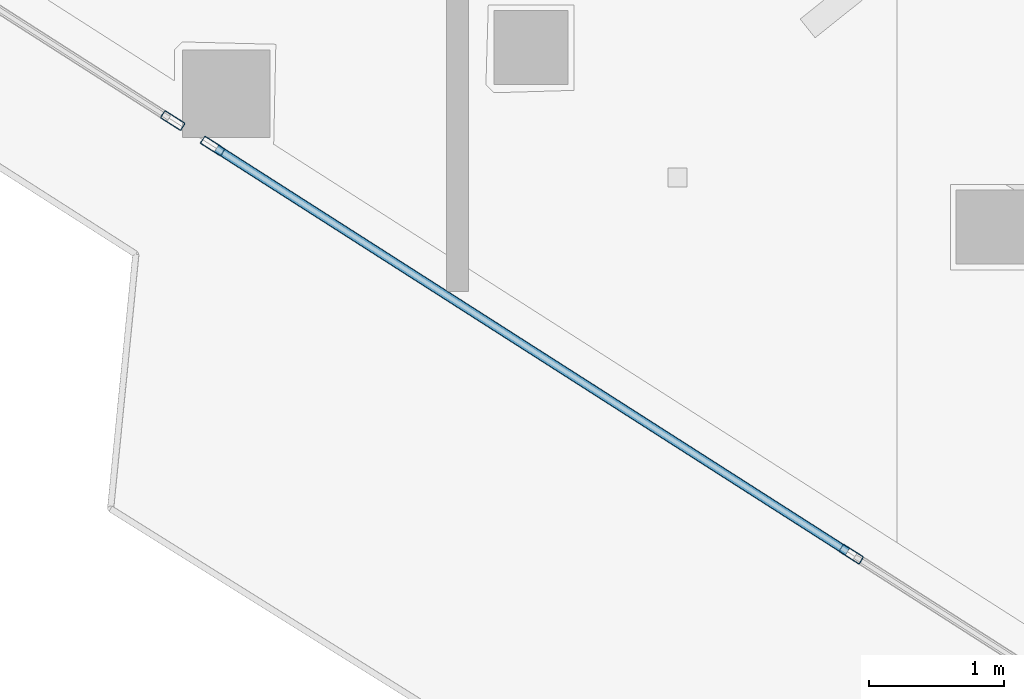
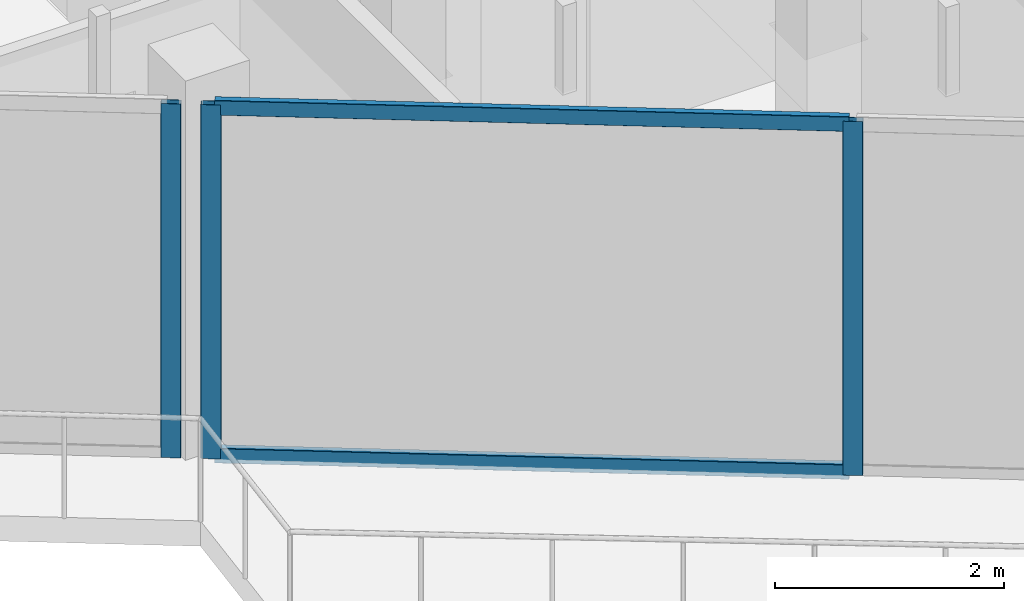
# One storey, part 4 of 36: 5 members, 2 elements without a shape of their own.
"""IFC4 building model written with IfcOpenShell, lengths in metres."""

from ifc_helpers import new_model, si_unit, direction, frame, origin, origin_2d, place, context, subcontext, project, spatial, hollow_rectangle, extrude, material, layer, layer_set, material_profile, profile_set, type_object, element, aggregate, save


model = new_model("IFC4")

# Units and contexts
model_context = context("Model", 3, precision=1e-05, world=origin(), true_north=direction((0.0, 1.0)))
body_context = subcontext(model_context, "Body", "Model", "MODEL_VIEW")
ifc_project = project(units=[si_unit("LENGTHUNIT", "METRE"), si_unit("AREAUNIT", "SQUARE_METRE"), si_unit("VOLUMEUNIT", "CUBIC_METRE"), si_unit("PLANEANGLEUNIT", "RADIAN"), si_unit("MASSUNIT", "GRAM", prefix="KILO")], contexts=[model_context])

# Site, building, storey
site_placement = place(None, origin())
site = spatial("IfcSite", under=ifc_project, at=site_placement, CompositionType="ELEMENT")
building_placement = place(site_placement, origin())
building = spatial("IfcBuilding", under=site, at=building_placement, Name="Qorvath Tower", CompositionType="ELEMENT")
storey_placement = place(building_placement, frame((0.0, 0.0, 241.5)))
storey = spatial("IfcBuildingStorey", under=building, at=storey_placement, Name="L56", CompositionType="ELEMENT", Elevation=241.5)

# Curtain wall, member
ifc_material_1 = material(Name="Anodised aluminium and triple low-E glass", Category="aluminium")
ifc_layer = layer(ifc_material_1, 0.179931640625)
ifc_layer_set = layer_set([ifc_layer], Name="CW-SYS-3")
curtain_wall_type = type_object("IfcCurtainWallType", Name="CW-SYS-3", PredefinedType="NOTDEFINED", material=ifc_layer_set)
curtain_wall_1_placement = place(storey_placement, origin())
curtain_wall_1 = element("IfcCurtainWall", 1, at=curtain_wall_1_placement, inside=storey, type_object=curtain_wall_type, Name="Curtain Wall CW-3 CW-T-L56-2.1", PredefinedType="NOTDEFINED")
ifc_material_2 = material(Name="Anodised aluminium 6063-T6", Category="aluminium")
ifc_material_profile_1 = material_profile(ifc_material_2, hollow_rectangle(XDim=0.06494140625, YDim=0.179931640625, WallThickness=0.00341796875, InnerFilletRadius=0.00341796875, OuterFilletRadius=0.007080078125, at=origin_2d()), Name="CWM 180x65")
ifc_profile_set_1 = profile_set([ifc_material_profile_1], Name="Anodised aluminium 6063-T6")
member_type_1 = type_object("IfcMemberType", Name="CWM-180", PredefinedType="MULLION", material=ifc_profile_set_1)
member_1_placement = place(storey_placement, frame((-36.761962890625, -13.33349609375, 0.0), z_axis=(0.0, 0.0, 1.0), x_axis=(0.538531424585, 0.842605426481, 0.0)))
member_1 = element("IfcMember", 2, at=member_1_placement, type_object=member_type_1, Name="CW-3 mullion 4", PredefinedType="MULLION", context=body_context, shape_type="SweptSolid", body=[
    extrude(hollow_rectangle(XDim=0.06494140625, YDim=0.179931640625, WallThickness=0.00341796875, InnerFilletRadius=0.00341796875, OuterFilletRadius=0.007080078125, at=origin_2d()), origin(), (0.0, 0.0, 1.0), 3.780029296875),
])
aggregate(curtain_wall_1, [member_1])

# Curtain wall, members
curtain_wall_2_placement = place(storey_placement, origin())
curtain_wall_2 = element("IfcCurtainWall", 3, at=curtain_wall_2_placement, inside=storey, type_object=curtain_wall_type, Name="Curtain Wall CW-3 CW-T-L56-2.2", PredefinedType="NOTDEFINED")
member_2_placement = place(storey_placement, frame((-36.4658203125, -13.523193359375, 0.0), z_axis=(0.0, 0.0, 1.0), x_axis=(0.538530320734, 0.84260613198, 0.0)))
member_2 = element("IfcMember", 4, at=member_2_placement, type_object=member_type_1, Name="CW-3 mullion 1", PredefinedType="MULLION", context=body_context, shape_type="SweptSolid", body=[
    extrude(hollow_rectangle(XDim=0.06494140625, YDim=0.179931640625, WallThickness=0.00341796875, InnerFilletRadius=0.00341796875, OuterFilletRadius=0.007080078125, at=origin_2d()), origin(), (0.0, 0.0, 1.0), 3.780029296875),
])
member_3_placement = place(storey_placement, frame((-31.7294921875, -16.550048828125, 0.0), z_axis=(0.0, 0.0, 1.0), x_axis=(0.538530320734, 0.84260613198, 0.0)))
member_3 = element("IfcMember", 5, at=member_3_placement, type_object=member_type_1, Name="CW-3 mullion 2", PredefinedType="MULLION", context=body_context, shape_type="SweptSolid", body=[
    extrude(hollow_rectangle(XDim=0.06494140625, YDim=0.179931640625, WallThickness=0.00341796875, InnerFilletRadius=0.00341796875, OuterFilletRadius=0.007080078125, at=origin_2d()), origin(), (0.0, 0.0, 1.0), 3.780029296875),
])
ifc_material_3 = material(Name="Anodised aluminium 6063-T6", Category="aluminium")
ifc_material_profile_2 = material_profile(ifc_material_3, hollow_rectangle(XDim=0.06494140625, YDim=0.159912109375, WallThickness=0.00341796875, InnerFilletRadius=0.00341796875, OuterFilletRadius=0.007080078125, at=origin_2d()), Name="CWT 160x65")
ifc_profile_set_2 = profile_set([ifc_material_profile_2], Name="Anodised aluminium 6063-T6")
member_type_2 = type_object("IfcMemberType", Name="CWT-160", PredefinedType="USERDEFINED", material=ifc_profile_set_2)
member_4_placement = place(storey_placement, frame((-36.4384765625, -13.54052734375, 0.032470703125), z_axis=(0.842590469409, -0.538554826236, 0.0), x_axis=(0.538554826236, 0.842590469409, 0.0)))
member_4 = element("IfcMember", 6, at=member_4_placement, type_object=member_type_2, Name="CW-3 transom 1.1", ObjectType="TRANSOM", PredefinedType="USERDEFINED", context=body_context, shape_type="SweptSolid", body=[
    extrude(hollow_rectangle(XDim=0.06494140625, YDim=0.159912109375, WallThickness=0.00341796875, InnerFilletRadius=0.00341796875, OuterFilletRadius=0.007080078125, at=origin_2d()), origin(), (0.0, 0.0, 1.0), 5.555908203125),
])
member_5_placement = place(storey_placement, frame((-36.4384765625, -13.54052734375, 3.74755859375), z_axis=(0.842590469409, -0.538554826236, 0.0), x_axis=(0.538554826236, 0.842590469409, 0.0)))
member_5 = element("IfcMember", 7, at=member_5_placement, type_object=member_type_2, Name="CW-3 transom 1.2", ObjectType="TRANSOM", PredefinedType="USERDEFINED", context=body_context, shape_type="SweptSolid", body=[
    extrude(hollow_rectangle(XDim=0.06494140625, YDim=0.159912109375, WallThickness=0.00341796875, InnerFilletRadius=0.00341796875, OuterFilletRadius=0.007080078125, at=origin_2d()), origin(), (0.0, 0.0, 1.0), 5.555908203125),
])
aggregate(curtain_wall_2, [member_2, member_3, member_4, member_5])

save(model, "model.ifc")
